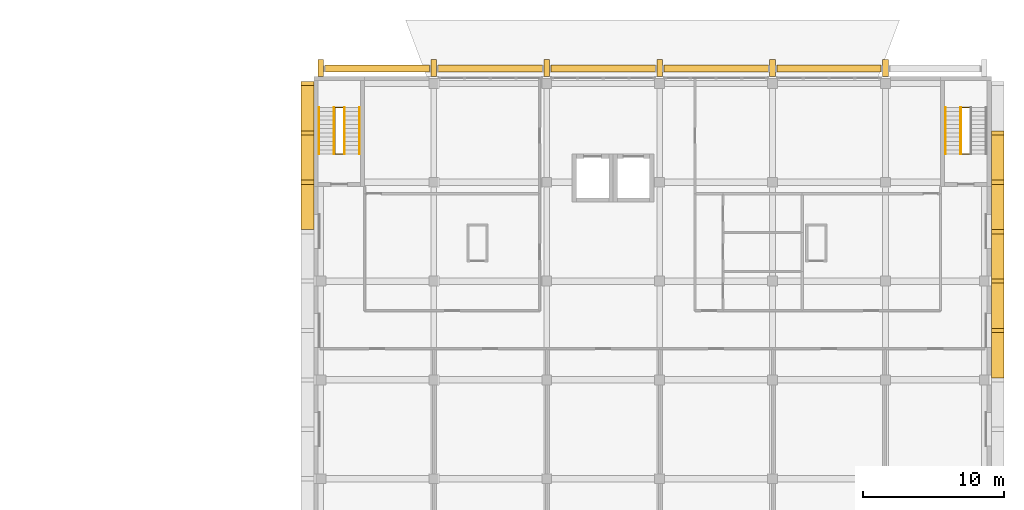
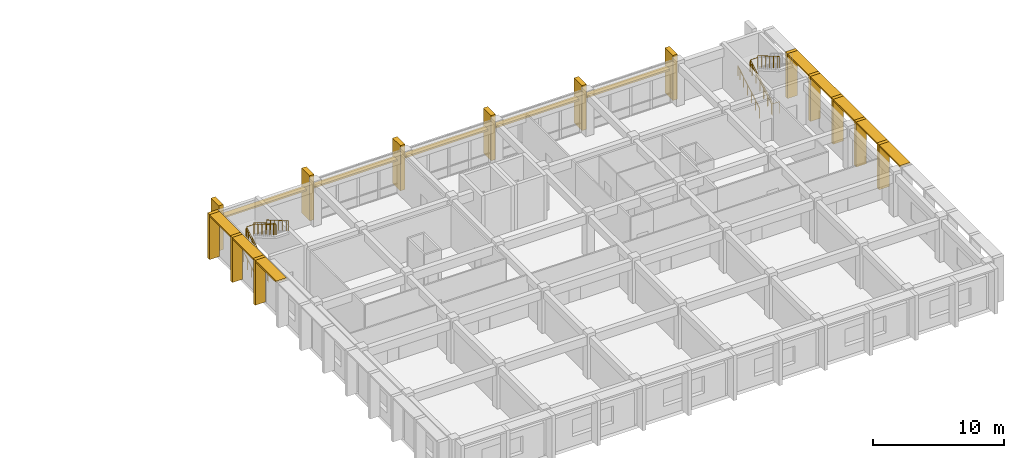
# One storey, part 44 of 45: 27 shading devices, 8 railings.
"""IFC4 building model written with IfcOpenShell, lengths in metres."""

from ifc_helpers import new_model, si_unit, direction, frame, origin, origin_2d, place, context, subcontext, project, spatial, rectangle, circle, extrude, material, layer, layer_set, type_object, element, save


model = new_model("IFC4")

# Units and contexts
model_context = context("Model", 3, precision=1e-05, world=origin(), true_north=direction((0.0, 1.0)))
body_context = subcontext(model_context, "Body", "Model", "MODEL_VIEW")
ifc_project = project(units=[si_unit("LENGTHUNIT", "METRE"), si_unit("AREAUNIT", "SQUARE_METRE"), si_unit("VOLUMEUNIT", "CUBIC_METRE"), si_unit("PLANEANGLEUNIT", "RADIAN"), si_unit("MASSUNIT", "GRAM", prefix="KILO")], contexts=[model_context])

# Site, building, storey
site_placement = place(None, origin())
site = spatial("IfcSite", under=ifc_project, at=site_placement, CompositionType="ELEMENT")
building_placement = place(site_placement, origin())
building = spatial("IfcBuilding", under=site, at=building_placement, Name="Elmora Arch Market Hall", CompositionType="ELEMENT")
storey_placement = place(building_placement, frame((0.0, 0.0, 6.0)))
storey = spatial("IfcBuildingStorey", under=building, at=storey_placement, Name="L01", CompositionType="ELEMENT", Elevation=6.0)

# Shading devices
ifc_material_1 = material(Name="Concrete C40/50", Category="concrete")
ifc_layer_1 = layer(ifc_material_1, 0.14990234375)
ifc_layer_set_1 = layer_set([ifc_layer_1], Name="Concrete C40/50")
shading_device_type_1 = type_object("IfcShadingDeviceType", Name="Concrete blade 150x900", PredefinedType="USERDEFINED", material=ifc_layer_set_1)
for number, where, z_axis, x_axis, name in (
    (1, (85.550048828125, 156.75, 4.050048828125), (0.0, 0.0, 1.0), (1.0, 0.0, 0.0), "School blade W8 L2"),
    (2, (85.550048828125, 160.25, 4.050048828125), (0.0, 0.0, 1.0), (1.0, 0.0, 0.0), "School blade W9 L2"),
    (3, (85.550048828125, 163.75, 4.050048828125), (0.0, 0.0, 1.0), (1.0, 0.0, 0.0), "School blade W10 L2"),
    (4, (134.449951171875, 146.25, 4.050048828125), (0.0, 0.0, 1.0), (1.0, 0.0, 0.0), "School blade E5 L2"),
    (5, (134.449951171875, 149.75, 4.050048828125), (0.0, 0.0, 1.0), (1.0, 0.0, 0.0), "School blade E6 L2"),
    (6, (134.449951171875, 153.25, 4.050048828125), (0.0, 0.0, 1.0), (1.0, 0.0, 0.0), "School blade E7 L2"),
    (7, (134.449951171875, 156.75, 4.050048828125), (0.0, 0.0, 1.0), (1.0, 0.0, 0.0), "School blade E8 L2"),
    (8, (134.449951171875, 160.25, 4.050048828125), (0.0, 0.0, 1.0), (1.0, 0.0, 0.0), "School blade E9 L2"),
):
    element("IfcShadingDevice", number, at=place(storey_placement, frame(where, z_axis=z_axis, x_axis=x_axis)), inside=storey, type_object=shading_device_type_1, Name=name, ObjectType="BLADE", PredefinedType="USERDEFINED", context=body_context, shape_type="SweptSolid", body=[
        extrude(rectangle(XDim=0.89990234375, YDim=3.199951171875, at=origin_2d()), origin(), (0.0, 0.0, 1.0), 0.14990234375),
    ])
ifc_material_2 = material(Name="Concrete C40/50", Category="concrete")
shading_device_type_2 = type_object("IfcShadingDeviceType", Name="Concrete fin 300x900", PredefinedType="USERDEFINED", material=ifc_material_2)
for number, where, z_axis, x_axis, name in (
    (9, (85.550048828125, 158.5, 0.0), (0.0, 0.0, 1.0), (1.0, 0.0, 0.0), "School fin W9 L01"),
    (10, (85.550048828125, 162.0, 0.0), (0.0, 0.0, 1.0), (1.0, 0.0, 0.0), "School fin W10 L01"),
    (11, (85.550048828125, 165.5, 0.0), (0.0, 0.0, 1.0), (1.0, 0.0, 0.0), "School fin W11 L01"),
    (12, (134.449951171875, 148.0, 0.0), (0.0, 0.0, 1.0), (1.0, 0.0, 0.0), "School fin E6 L01"),
    (13, (134.449951171875, 151.5, 0.0), (0.0, 0.0, 1.0), (1.0, 0.0, 0.0), "School fin E7 L01"),
    (14, (134.449951171875, 155.0, 0.0), (0.0, 0.0, 1.0), (1.0, 0.0, 0.0), "School fin E8 L01"),
    (15, (134.449951171875, 158.5, 0.0), (0.0, 0.0, 1.0), (1.0, 0.0, 0.0), "School fin E9 L01"),
    (16, (134.449951171875, 162.0, 0.0), (0.0, 0.0, 1.0), (1.0, 0.0, 0.0), "School fin E10 L01"),
):
    element("IfcShadingDevice", number, at=place(storey_placement, frame(where, z_axis=z_axis, x_axis=x_axis)), inside=storey, type_object=shading_device_type_2, Name=name, ObjectType="FIN", PredefinedType="USERDEFINED", context=body_context, shape_type="SweptSolid", body=[
        extrude(rectangle(XDim=0.89990234375, YDim=0.300048828125, at=origin_2d()), origin(), (0.0, 0.0, 1.0), 4.199951171875),
    ])
ifc_material_3 = material(Name="Concrete C40/50", Category="concrete")
ifc_layer_2 = layer(ifc_material_3, 0.14990234375)
ifc_layer_set_2 = layer_set([ifc_layer_2], Name="Concrete C40/50")
shading_device_type_3 = type_object("IfcShadingDeviceType", Name="School blade 150x500", PredefinedType="USERDEFINED", material=ifc_layer_set_2)
for number, where, z_axis, x_axis, name in (
    (17, (90.5, 166.550048828125, 2.650146484375), (0.0, 0.0, 1.0), (1.0, 0.0, 0.0), "School blade N1 L01"),
    (18, (98.5, 166.550048828125, 2.650146484375), (0.0, 0.0, 1.0), (1.0, 0.0, 0.0), "School blade N2 L01"),
    (19, (106.5, 166.550048828125, 2.650146484375), (0.0, 0.0, 1.0), (1.0, 0.0, 0.0), "School blade N3 L01"),
    (20, (114.5, 166.550048828125, 2.650146484375), (0.0, 0.0, 1.0), (1.0, 0.0, 0.0), "School blade N4 L01"),
    (21, (122.5, 166.550048828125, 2.650146484375), (0.0, 0.0, 1.0), (1.0, 0.0, 0.0), "School blade N5 L01"),
):
    element("IfcShadingDevice", number, at=place(storey_placement, frame(where, z_axis=z_axis, x_axis=x_axis)), inside=storey, type_object=shading_device_type_3, Name=name, ObjectType="BLADE", PredefinedType="USERDEFINED", context=body_context, shape_type="SweptSolid", body=[
        extrude(rectangle(XDim=7.39990234375, YDim=0.5, at=origin_2d()), origin(), (0.0, 0.0, 1.0), 0.14990234375),
    ])
ifc_material_4 = material(Name="Concrete C40/50", Category="concrete")
shading_device_type_4 = type_object("IfcShadingDeviceType", Name="School fin 400x1200", PredefinedType="USERDEFINED", material=ifc_material_4)
for number, where, z_axis, x_axis, name in (
    (22, (86.5, 166.60009765625, 0.0), (0.0, 0.0, 1.0), (1.0, 0.0, 0.0), "School fin N1 L01"),
    (23, (94.5, 166.60009765625, 0.0), (0.0, 0.0, 1.0), (1.0, 0.0, 0.0), "School fin N2 L01"),
    (24, (102.5, 166.60009765625, 0.0), (0.0, 0.0, 1.0), (1.0, 0.0, 0.0), "School fin N3 L01"),
    (25, (110.5, 166.60009765625, 0.0), (0.0, 0.0, 1.0), (1.0, 0.0, 0.0), "School fin N4 L01"),
    (26, (118.5, 166.60009765625, 0.0), (0.0, 0.0, 1.0), (1.0, 0.0, 0.0), "School fin N5 L01"),
    (27, (126.5, 166.60009765625, 0.0), (0.0, 0.0, 1.0), (1.0, 0.0, 0.0), "School fin N6 L01"),
):
    element("IfcShadingDevice", number, at=place(storey_placement, frame(where, z_axis=z_axis, x_axis=x_axis)), inside=storey, type_object=shading_device_type_4, Name=name, ObjectType="FIN", PredefinedType="USERDEFINED", context=body_context, shape_type="SweptSolid", body=[
        extrude(rectangle(XDim=0.39990234375, YDim=1.199951171875, at=origin_2d()), origin(), (0.0, 0.0, 1.0), 4.199951171875),
    ])

# Railings
ifc_material_5 = material(Name="Steel ASTM A500 Gr C", Category="steel")
railing_type_1 = type_object("IfcRailingType", Name="Stair guard 1100", PredefinedType="GUARDRAIL", material=ifc_material_5)
railing_1_placement = place(storey_placement, frame((88.1201171875, 160.5, 0.0)))
element("IfcRailing", 28, at=railing_1_placement, inside=storey, type_object=railing_type_1, Name="Stair ST-SCW guard L01", PredefinedType="GUARDRAIL", context=body_context, shape_type="SweptSolid", body=[
    extrude(circle(Radius=0.02392578125, at=origin_2d()), frame((0.0, 0.0, 1.076171875), z_axis=(-1.0, 0.0, 0.0), x_axis=(0.0, -1.0, 0.0)), (0.0, 0.0, 1.0), 0.64013671875),
    extrude(circle(Radius=0.02392578125, at=origin_2d()), frame((-0.64013671875, 0.0, 1.076171875), z_axis=(0.0, 0.0, 1.0), x_axis=(1.0, 0.0, 0.0)), (0.0, 0.0, 1.0), 0.175048828125),
    extrude(circle(Radius=0.02392578125, at=origin_2d()), frame((-0.64013671875, 0.0, 1.2509765625), z_axis=(0.0, 0.863906348401, 0.503652480577), x_axis=(-1.0, 0.0, 0.0)), (0.0, 0.0, 1.0), 0.694580078125),
    extrude(circle(Radius=0.02392578125, at=origin_2d()), frame((-0.64013671875, 0.60009765625, 1.60107421875), z_axis=(0.0, 0.863664136355, 0.504067713282), x_axis=(-1.0, 0.0, 0.0)), (0.0, 0.0, 1.0), 0.694580078125),
    extrude(circle(Radius=0.02392578125, at=origin_2d()), frame((-0.64013671875, 1.199951171875, 1.951171875), z_axis=(0.0, 0.863753409277, 0.503914722906), x_axis=(-1.0, 0.0, 0.0)), (0.0, 0.0, 1.0), 0.69482421875),
    extrude(circle(Radius=0.02392578125, at=origin_2d()), frame((-0.64013671875, 1.800048828125, 2.30126953125), z_axis=(0.0, 0.863817152568, 0.503805445515), x_axis=(-1.0, 0.0, 0.0)), (0.0, 0.0, 1.0), 0.6943359375),
    extrude(circle(Radius=0.02392578125, at=origin_2d()), frame((-0.64013671875, 2.39990234375, 2.65087890625), z_axis=(0.0, 0.863753409277, 0.503914722906), x_axis=(-1.0, 0.0, 0.0)), (0.0, 0.0, 1.0), 0.69482421875),
    extrude(circle(Radius=0.02392578125, at=origin_2d()), frame((-0.64013671875, 3.0, 3.0009765625), z_axis=(0.0, 0.863753409277, 0.503914722906), x_axis=(-1.0, 0.0, 0.0)), (0.0, 0.0, 1.0), 0.347412109375),
    extrude(circle(Radius=0.02392578125, at=origin_2d()), frame((-0.64013671875, 3.300048828125, 3.17626953125), z_axis=(1.0, 0.0, 0.0), x_axis=(0.0, 1.0, 0.0)), (0.0, 0.0, 1.0), 0.64013671875),
    extrude(circle(Radius=0.02392578125, at=origin_2d()), frame((0.0, 3.300048828125, 3.17626953125), z_axis=(0.0, 0.0, 1.0), x_axis=(1.0, 0.0, 0.0)), (0.0, 0.0, 1.0), 0.1748046875),
    extrude(circle(Radius=0.02392578125, at=origin_2d()), frame((0.0, 3.300048828125, 3.35107421875), z_axis=(0.0, -0.863753409277, 0.503914722906), x_axis=(1.0, 0.0, 0.0)), (0.0, 0.0, 1.0), 0.69482421875),
    extrude(circle(Radius=0.02392578125, at=origin_2d()), frame((0.0, 2.699951171875, 3.701171875), z_axis=(0.0, -0.863664136355, 0.504067713282), x_axis=(1.0, 0.0, 0.0)), (0.0, 0.0, 1.0), 0.694580078125),
    extrude(circle(Radius=0.02392578125, at=origin_2d()), frame((0.0, 2.10009765625, 4.05126953125), z_axis=(0.0, -0.863906348401, 0.503652480577), x_axis=(1.0, 0.0, 0.0)), (0.0, 0.0, 1.0), 0.694580078125),
    extrude(circle(Radius=0.02392578125, at=origin_2d()), frame((0.0, 1.5, 4.40087890625), z_axis=(0.0, -0.863753409277, 0.503914722906), x_axis=(1.0, 0.0, 0.0)), (0.0, 0.0, 1.0), 0.69482421875),
    extrude(circle(Radius=0.02392578125, at=origin_2d()), frame((0.0, 0.89990234375, 4.7509765625), z_axis=(0.0, -0.863817152568, 0.503805445515), x_axis=(1.0, 0.0, 0.0)), (0.0, 0.0, 1.0), 0.6943359375),
    extrude(circle(Radius=0.02392578125, at=origin_2d()), frame((0.0, 0.300048828125, 5.10107421875), z_axis=(0.0, -0.863753409277, 0.503914722906), x_axis=(1.0, 0.0, 0.0)), (0.0, 0.0, 1.0), 0.347412109375),
    extrude(circle(Radius=0.02099609375, at=origin_2d()), origin(), (0.0, 0.0, 1.0), 1.052001953125),
    extrude(circle(Radius=0.02099609375, at=origin_2d()), frame((-0.64013671875, 0.0, 0.0)), (0.0, 0.0, 1.0), 1.052001953125),
    extrude(circle(Radius=0.02099609375, at=origin_2d()), frame((-0.64013671875, 0.0, 0.175048828125)), (0.0, 0.0, 1.0), 1.052001953125),
    extrude(circle(Radius=0.02099609375, at=origin_2d()), frame((-0.64013671875, 0.60009765625, 0.52490234375)), (0.0, 0.0, 1.0), 1.052001953125),
    extrude(circle(Radius=0.02099609375, at=origin_2d()), frame((-0.64013671875, 1.199951171875, 0.875)), (0.0, 0.0, 1.0), 1.052001953125),
    extrude(circle(Radius=0.02099609375, at=origin_2d()), frame((-0.64013671875, 1.800048828125, 1.22509765625)), (0.0, 0.0, 1.0), 1.052001953125),
    extrude(circle(Radius=0.02099609375, at=origin_2d()), frame((-0.64013671875, 2.39990234375, 1.574951171875)), (0.0, 0.0, 1.0), 1.052001953125),
    extrude(circle(Radius=0.02099609375, at=origin_2d()), frame((-0.64013671875, 3.0, 1.925048828125)), (0.0, 0.0, 1.0), 1.052001953125),
    extrude(circle(Radius=0.02099609375, at=origin_2d()), frame((-0.64013671875, 3.300048828125, 2.10009765625)), (0.0, 0.0, 1.0), 1.052001953125),
    extrude(circle(Radius=0.02099609375, at=origin_2d()), frame((0.0, 3.300048828125, 2.10009765625)), (0.0, 0.0, 1.0), 1.052001953125),
    extrude(circle(Radius=0.02099609375, at=origin_2d()), frame((0.0, 3.300048828125, 2.27490234375)), (0.0, 0.0, 1.0), 1.052001953125),
    extrude(circle(Radius=0.02099609375, at=origin_2d()), frame((0.0, 2.699951171875, 2.625)), (0.0, 0.0, 1.0), 1.052001953125),
    extrude(circle(Radius=0.02099609375, at=origin_2d()), frame((0.0, 2.10009765625, 2.97509765625)), (0.0, 0.0, 1.0), 1.052001953125),
    extrude(circle(Radius=0.02099609375, at=origin_2d()), frame((0.0, 1.5, 3.324951171875)), (0.0, 0.0, 1.0), 1.052001953125),
    extrude(circle(Radius=0.02099609375, at=origin_2d()), frame((0.0, 0.89990234375, 3.675048828125)), (0.0, 0.0, 1.0), 1.052001953125),
    extrude(circle(Radius=0.02099609375, at=origin_2d()), frame((0.0, 0.300048828125, 4.02490234375)), (0.0, 0.0, 1.0), 1.052001953125),
    extrude(circle(Radius=0.02099609375, at=origin_2d()), frame((0.0, 0.0, 4.199951171875)), (0.0, 0.0, 1.0), 1.052001953125),
])
railing_2_placement = place(storey_placement, frame((132.52001953125, 160.5, 0.0)))
element("IfcRailing", 29, at=railing_2_placement, inside=storey, type_object=railing_type_1, Name="Stair ST-SCE guard L01", PredefinedType="GUARDRAIL", context=body_context, shape_type="SweptSolid", body=[
    extrude(circle(Radius=0.02392578125, at=origin_2d()), frame((0.0, 0.0, 1.076171875), z_axis=(-1.0, 0.0, 0.0), x_axis=(0.0, -1.0, 0.0)), (0.0, 0.0, 1.0), 0.64013671875),
    extrude(circle(Radius=0.02392578125, at=origin_2d()), frame((-0.64013671875, 0.0, 1.076171875), z_axis=(0.0, 0.0, 1.0), x_axis=(1.0, 0.0, 0.0)), (0.0, 0.0, 1.0), 0.175048828125),
    extrude(circle(Radius=0.02392578125, at=origin_2d()), frame((-0.64013671875, 0.0, 1.2509765625), z_axis=(0.0, 0.863906348401, 0.503652480577), x_axis=(-1.0, 0.0, 0.0)), (0.0, 0.0, 1.0), 0.694580078125),
    extrude(circle(Radius=0.02392578125, at=origin_2d()), frame((-0.64013671875, 0.60009765625, 1.60107421875), z_axis=(0.0, 0.863664136355, 0.504067713282), x_axis=(-1.0, 0.0, 0.0)), (0.0, 0.0, 1.0), 0.694580078125),
    extrude(circle(Radius=0.02392578125, at=origin_2d()), frame((-0.64013671875, 1.199951171875, 1.951171875), z_axis=(0.0, 0.863753409277, 0.503914722906), x_axis=(-1.0, 0.0, 0.0)), (0.0, 0.0, 1.0), 0.69482421875),
    extrude(circle(Radius=0.02392578125, at=origin_2d()), frame((-0.64013671875, 1.800048828125, 2.30126953125), z_axis=(0.0, 0.863817152568, 0.503805445515), x_axis=(-1.0, 0.0, 0.0)), (0.0, 0.0, 1.0), 0.6943359375),
    extrude(circle(Radius=0.02392578125, at=origin_2d()), frame((-0.64013671875, 2.39990234375, 2.65087890625), z_axis=(0.0, 0.863753409277, 0.503914722906), x_axis=(-1.0, 0.0, 0.0)), (0.0, 0.0, 1.0), 0.69482421875),
    extrude(circle(Radius=0.02392578125, at=origin_2d()), frame((-0.64013671875, 3.0, 3.0009765625), z_axis=(0.0, 0.863753409277, 0.503914722906), x_axis=(-1.0, 0.0, 0.0)), (0.0, 0.0, 1.0), 0.347412109375),
    extrude(circle(Radius=0.02392578125, at=origin_2d()), frame((-0.64013671875, 3.300048828125, 3.17626953125), z_axis=(1.0, 0.0, 0.0), x_axis=(0.0, 1.0, 0.0)), (0.0, 0.0, 1.0), 0.64013671875),
    extrude(circle(Radius=0.02392578125, at=origin_2d()), frame((0.0, 3.300048828125, 3.17626953125), z_axis=(0.0, 0.0, 1.0), x_axis=(1.0, 0.0, 0.0)), (0.0, 0.0, 1.0), 0.1748046875),
    extrude(circle(Radius=0.02392578125, at=origin_2d()), frame((0.0, 3.300048828125, 3.35107421875), z_axis=(0.0, -0.863753409277, 0.503914722906), x_axis=(1.0, 0.0, 0.0)), (0.0, 0.0, 1.0), 0.69482421875),
    extrude(circle(Radius=0.02392578125, at=origin_2d()), frame((0.0, 2.699951171875, 3.701171875), z_axis=(0.0, -0.863664136355, 0.504067713282), x_axis=(1.0, 0.0, 0.0)), (0.0, 0.0, 1.0), 0.694580078125),
    extrude(circle(Radius=0.02392578125, at=origin_2d()), frame((0.0, 2.10009765625, 4.05126953125), z_axis=(0.0, -0.863906348401, 0.503652480577), x_axis=(1.0, 0.0, 0.0)), (0.0, 0.0, 1.0), 0.694580078125),
    extrude(circle(Radius=0.02392578125, at=origin_2d()), frame((0.0, 1.5, 4.40087890625), z_axis=(0.0, -0.863753409277, 0.503914722906), x_axis=(1.0, 0.0, 0.0)), (0.0, 0.0, 1.0), 0.69482421875),
    extrude(circle(Radius=0.02392578125, at=origin_2d()), frame((0.0, 0.89990234375, 4.7509765625), z_axis=(0.0, -0.863817152568, 0.503805445515), x_axis=(1.0, 0.0, 0.0)), (0.0, 0.0, 1.0), 0.6943359375),
    extrude(circle(Radius=0.02392578125, at=origin_2d()), frame((0.0, 0.300048828125, 5.10107421875), z_axis=(0.0, -0.863753409277, 0.503914722906), x_axis=(1.0, 0.0, 0.0)), (0.0, 0.0, 1.0), 0.347412109375),
    extrude(circle(Radius=0.02099609375, at=origin_2d()), origin(), (0.0, 0.0, 1.0), 1.052001953125),
    extrude(circle(Radius=0.02099609375, at=origin_2d()), frame((-0.64013671875, 0.0, 0.0)), (0.0, 0.0, 1.0), 1.052001953125),
    extrude(circle(Radius=0.02099609375, at=origin_2d()), frame((-0.64013671875, 0.0, 0.175048828125)), (0.0, 0.0, 1.0), 1.052001953125),
    extrude(circle(Radius=0.02099609375, at=origin_2d()), frame((-0.64013671875, 0.60009765625, 0.52490234375)), (0.0, 0.0, 1.0), 1.052001953125),
    extrude(circle(Radius=0.02099609375, at=origin_2d()), frame((-0.64013671875, 1.199951171875, 0.875)), (0.0, 0.0, 1.0), 1.052001953125),
    extrude(circle(Radius=0.02099609375, at=origin_2d()), frame((-0.64013671875, 1.800048828125, 1.22509765625)), (0.0, 0.0, 1.0), 1.052001953125),
    extrude(circle(Radius=0.02099609375, at=origin_2d()), frame((-0.64013671875, 2.39990234375, 1.574951171875)), (0.0, 0.0, 1.0), 1.052001953125),
    extrude(circle(Radius=0.02099609375, at=origin_2d()), frame((-0.64013671875, 3.0, 1.925048828125)), (0.0, 0.0, 1.0), 1.052001953125),
    extrude(circle(Radius=0.02099609375, at=origin_2d()), frame((-0.64013671875, 3.300048828125, 2.10009765625)), (0.0, 0.0, 1.0), 1.052001953125),
    extrude(circle(Radius=0.02099609375, at=origin_2d()), frame((0.0, 3.300048828125, 2.10009765625)), (0.0, 0.0, 1.0), 1.052001953125),
    extrude(circle(Radius=0.02099609375, at=origin_2d()), frame((0.0, 3.300048828125, 2.27490234375)), (0.0, 0.0, 1.0), 1.052001953125),
    extrude(circle(Radius=0.02099609375, at=origin_2d()), frame((0.0, 2.699951171875, 2.625)), (0.0, 0.0, 1.0), 1.052001953125),
    extrude(circle(Radius=0.02099609375, at=origin_2d()), frame((0.0, 2.10009765625, 2.97509765625)), (0.0, 0.0, 1.0), 1.052001953125),
    extrude(circle(Radius=0.02099609375, at=origin_2d()), frame((0.0, 1.5, 3.324951171875)), (0.0, 0.0, 1.0), 1.052001953125),
    extrude(circle(Radius=0.02099609375, at=origin_2d()), frame((0.0, 0.89990234375, 3.675048828125)), (0.0, 0.0, 1.0), 1.052001953125),
    extrude(circle(Radius=0.02099609375, at=origin_2d()), frame((0.0, 0.300048828125, 4.02490234375)), (0.0, 0.0, 1.0), 1.052001953125),
    extrude(circle(Radius=0.02099609375, at=origin_2d()), frame((0.0, 0.0, 4.199951171875)), (0.0, 0.0, 1.0), 1.052001953125),
])
ifc_material_6 = material(Name="Stainless steel ASTM A554 Grade 304", Category="steel")
railing_type_2 = type_object("IfcRailingType", Name="Stair handrail 950", PredefinedType="HANDRAIL", material=ifc_material_6)
railing_3_placement = place(storey_placement, frame((86.360107421875, 160.5, 0.175048828125)))
element("IfcRailing", 30, at=railing_3_placement, inside=storey, type_object=railing_type_2, Name="Stair ST-SCW L01 flight 1 handrail", PredefinedType="HANDRAIL", context=body_context, shape_type="SweptSolid", body=[
    extrude(circle(Radius=0.02392578125, at=origin_2d()), frame((0.0, 0.0, 0.92578125), z_axis=(0.0, 0.863906348401, 0.503652480577), x_axis=(-1.0, 0.0, 0.0)), (0.0, 0.0, 1.0), 0.694580078125),
    extrude(circle(Radius=0.02392578125, at=origin_2d()), frame((0.0, 0.60009765625, 1.27587890625), z_axis=(0.0, 0.863664136355, 0.504067713282), x_axis=(-1.0, 0.0, 0.0)), (0.0, 0.0, 1.0), 0.694580078125),
    extrude(circle(Radius=0.02392578125, at=origin_2d()), frame((0.0, 1.199951171875, 1.6259765625), z_axis=(0.0, 0.863753409277, 0.503914722906), x_axis=(-1.0, 0.0, 0.0)), (0.0, 0.0, 1.0), 0.69482421875),
    extrude(circle(Radius=0.02392578125, at=origin_2d()), frame((0.0, 1.800048828125, 1.97607421875), z_axis=(0.0, 0.863817152568, 0.503805445515), x_axis=(-1.0, 0.0, 0.0)), (0.0, 0.0, 1.0), 0.6943359375),
    extrude(circle(Radius=0.02392578125, at=origin_2d()), frame((0.0, 2.39990234375, 2.32568359375), z_axis=(0.0, 0.863753409277, 0.503914722906), x_axis=(-1.0, 0.0, 0.0)), (0.0, 0.0, 1.0), 0.69482421875),
    extrude(circle(Radius=0.02392578125, at=origin_2d()), frame((0.0, 3.0, 2.67578125), z_axis=(0.0, 0.863753409277, 0.503914722906), x_axis=(-1.0, 0.0, 0.0)), (0.0, 0.0, 1.0), 0.347412109375),
    extrude(circle(Radius=0.02099609375, at=origin_2d()), origin(), (0.0, 0.0, 1.0), 0.90185546875),
    extrude(circle(Radius=0.02099609375, at=origin_2d()), frame((0.0, 0.60009765625, 0.349853515625)), (0.0, 0.0, 1.0), 0.90185546875),
    extrude(circle(Radius=0.02099609375, at=origin_2d()), frame((0.0, 1.199951171875, 0.699951171875)), (0.0, 0.0, 1.0), 0.90185546875),
    extrude(circle(Radius=0.02099609375, at=origin_2d()), frame((0.0, 1.800048828125, 1.050048828125)), (0.0, 0.0, 1.0), 0.90185546875),
    extrude(circle(Radius=0.02099609375, at=origin_2d()), frame((0.0, 2.39990234375, 1.39990234375)), (0.0, 0.0, 1.0), 0.90185546875),
    extrude(circle(Radius=0.02099609375, at=origin_2d()), frame((0.0, 3.0, 1.75)), (0.0, 0.0, 1.0), 0.90185546875),
    extrude(circle(Radius=0.02099609375, at=origin_2d()), frame((0.0, 3.300048828125, 1.925048828125)), (0.0, 0.0, 1.0), 0.90185546875),
])
railing_4_placement = place(storey_placement, frame((87.429931640625, 160.5, 0.175048828125)))
element("IfcRailing", 31, at=railing_4_placement, inside=storey, type_object=railing_type_2, Name="Stair ST-SCW L01 flight 1 handrail", PredefinedType="HANDRAIL", context=body_context, shape_type="SweptSolid", body=[
    extrude(circle(Radius=0.02392578125, at=origin_2d()), frame((0.0, 0.0, 0.92578125), z_axis=(0.0, 0.863906348401, 0.503652480577), x_axis=(-1.0, 0.0, 0.0)), (0.0, 0.0, 1.0), 0.694580078125),
    extrude(circle(Radius=0.02392578125, at=origin_2d()), frame((0.0, 0.60009765625, 1.27587890625), z_axis=(0.0, 0.863664136355, 0.504067713282), x_axis=(-1.0, 0.0, 0.0)), (0.0, 0.0, 1.0), 0.694580078125),
    extrude(circle(Radius=0.02392578125, at=origin_2d()), frame((0.0, 1.199951171875, 1.6259765625), z_axis=(0.0, 0.863753409277, 0.503914722906), x_axis=(-1.0, 0.0, 0.0)), (0.0, 0.0, 1.0), 0.69482421875),
    extrude(circle(Radius=0.02392578125, at=origin_2d()), frame((0.0, 1.800048828125, 1.97607421875), z_axis=(0.0, 0.863817152568, 0.503805445515), x_axis=(-1.0, 0.0, 0.0)), (0.0, 0.0, 1.0), 0.6943359375),
    extrude(circle(Radius=0.02392578125, at=origin_2d()), frame((0.0, 2.39990234375, 2.32568359375), z_axis=(0.0, 0.863753409277, 0.503914722906), x_axis=(-1.0, 0.0, 0.0)), (0.0, 0.0, 1.0), 0.69482421875),
    extrude(circle(Radius=0.02392578125, at=origin_2d()), frame((0.0, 3.0, 2.67578125), z_axis=(0.0, 0.863753409277, 0.503914722906), x_axis=(-1.0, 0.0, 0.0)), (0.0, 0.0, 1.0), 0.347412109375),
    extrude(circle(Radius=0.02099609375, at=origin_2d()), origin(), (0.0, 0.0, 1.0), 0.90185546875),
    extrude(circle(Radius=0.02099609375, at=origin_2d()), frame((0.0, 0.60009765625, 0.349853515625)), (0.0, 0.0, 1.0), 0.90185546875),
    extrude(circle(Radius=0.02099609375, at=origin_2d()), frame((0.0, 1.199951171875, 0.699951171875)), (0.0, 0.0, 1.0), 0.90185546875),
    extrude(circle(Radius=0.02099609375, at=origin_2d()), frame((0.0, 1.800048828125, 1.050048828125)), (0.0, 0.0, 1.0), 0.90185546875),
    extrude(circle(Radius=0.02099609375, at=origin_2d()), frame((0.0, 2.39990234375, 1.39990234375)), (0.0, 0.0, 1.0), 0.90185546875),
    extrude(circle(Radius=0.02099609375, at=origin_2d()), frame((0.0, 3.0, 1.75)), (0.0, 0.0, 1.0), 0.90185546875),
    extrude(circle(Radius=0.02099609375, at=origin_2d()), frame((0.0, 3.300048828125, 1.925048828125)), (0.0, 0.0, 1.0), 0.90185546875),
])
railing_5_placement = place(storey_placement, frame((89.239990234375, 163.800048828125, 2.27490234375)))
element("IfcRailing", 32, at=railing_5_placement, inside=storey, type_object=railing_type_2, Name="Stair ST-SCW L01 flight 2 handrail", PredefinedType="HANDRAIL", context=body_context, shape_type="SweptSolid", body=[
    extrude(circle(Radius=0.02392578125, at=origin_2d()), frame((0.0, 0.0, 0.92578125), z_axis=(0.0, -0.863753409277, 0.503914722906), x_axis=(1.0, 0.0, 0.0)), (0.0, 0.0, 1.0), 0.69482421875),
    extrude(circle(Radius=0.02392578125, at=origin_2d()), frame((0.0, -0.60009765625, 1.27587890625), z_axis=(0.0, -0.863664136355, 0.504067713282), x_axis=(1.0, 0.0, 0.0)), (0.0, 0.0, 1.0), 0.694580078125),
    extrude(circle(Radius=0.02392578125, at=origin_2d()), frame((0.0, -1.199951171875, 1.6259765625), z_axis=(0.0, -0.863906348401, 0.503652480577), x_axis=(1.0, 0.0, 0.0)), (0.0, 0.0, 1.0), 0.694580078125),
    extrude(circle(Radius=0.02392578125, at=origin_2d()), frame((0.0, -1.800048828125, 1.97607421875), z_axis=(0.0, -0.863753409277, 0.503914722906), x_axis=(1.0, 0.0, 0.0)), (0.0, 0.0, 1.0), 0.69482421875),
    extrude(circle(Radius=0.02392578125, at=origin_2d()), frame((0.0, -2.400146484375, 2.326171875), z_axis=(0.0, -0.863817152568, 0.503805445515), x_axis=(1.0, 0.0, 0.0)), (0.0, 0.0, 1.0), 0.6943359375),
    extrude(circle(Radius=0.02392578125, at=origin_2d()), frame((0.0, -3.0, 2.67578125), z_axis=(0.0, -0.863753409277, 0.503914722906), x_axis=(1.0, 0.0, 0.0)), (0.0, 0.0, 1.0), 0.347412109375),
    extrude(circle(Radius=0.02099609375, at=origin_2d()), origin(), (0.0, 0.0, 1.0), 0.90185546875),
    extrude(circle(Radius=0.02099609375, at=origin_2d()), frame((0.0, -0.60009765625, 0.35009765625)), (0.0, 0.0, 1.0), 0.90185546875),
    extrude(circle(Radius=0.02099609375, at=origin_2d()), frame((0.0, -1.199951171875, 0.7001953125)), (0.0, 0.0, 1.0), 0.90185546875),
    extrude(circle(Radius=0.02099609375, at=origin_2d()), frame((0.0, -1.800048828125, 1.050048828125)), (0.0, 0.0, 1.0), 0.90185546875),
    extrude(circle(Radius=0.02099609375, at=origin_2d()), frame((0.0, -2.400146484375, 1.400146484375)), (0.0, 0.0, 1.0), 0.90185546875),
    extrude(circle(Radius=0.02099609375, at=origin_2d()), frame((0.0, -3.0, 1.75)), (0.0, 0.0, 1.0), 0.90185546875),
    extrude(circle(Radius=0.02099609375, at=origin_2d()), frame((0.0, -3.300048828125, 1.925048828125)), (0.0, 0.0, 1.0), 0.90185546875),
])
railing_6_placement = place(storey_placement, frame((88.169921875, 163.800048828125, 2.27490234375)))
element("IfcRailing", 33, at=railing_6_placement, inside=storey, type_object=railing_type_2, Name="Stair ST-SCW L01 flight 2 handrail", PredefinedType="HANDRAIL", context=body_context, shape_type="SweptSolid", body=[
    extrude(circle(Radius=0.02392578125, at=origin_2d()), frame((0.0, 0.0, 0.92578125), z_axis=(0.0, -0.863753409277, 0.503914722906), x_axis=(1.0, 0.0, 0.0)), (0.0, 0.0, 1.0), 0.69482421875),
    extrude(circle(Radius=0.02392578125, at=origin_2d()), frame((0.0, -0.60009765625, 1.27587890625), z_axis=(0.0, -0.863664136355, 0.504067713282), x_axis=(1.0, 0.0, 0.0)), (0.0, 0.0, 1.0), 0.694580078125),
    extrude(circle(Radius=0.02392578125, at=origin_2d()), frame((0.0, -1.199951171875, 1.6259765625), z_axis=(0.0, -0.863906348401, 0.503652480577), x_axis=(1.0, 0.0, 0.0)), (0.0, 0.0, 1.0), 0.694580078125),
    extrude(circle(Radius=0.02392578125, at=origin_2d()), frame((0.0, -1.800048828125, 1.97607421875), z_axis=(0.0, -0.863753409277, 0.503914722906), x_axis=(1.0, 0.0, 0.0)), (0.0, 0.0, 1.0), 0.69482421875),
    extrude(circle(Radius=0.02392578125, at=origin_2d()), frame((0.0, -2.400146484375, 2.326171875), z_axis=(0.0, -0.863817152568, 0.503805445515), x_axis=(1.0, 0.0, 0.0)), (0.0, 0.0, 1.0), 0.6943359375),
    extrude(circle(Radius=0.02392578125, at=origin_2d()), frame((0.0, -3.0, 2.67578125), z_axis=(0.0, -0.863753409277, 0.503914722906), x_axis=(1.0, 0.0, 0.0)), (0.0, 0.0, 1.0), 0.347412109375),
    extrude(circle(Radius=0.02099609375, at=origin_2d()), origin(), (0.0, 0.0, 1.0), 0.90185546875),
    extrude(circle(Radius=0.02099609375, at=origin_2d()), frame((0.0, -0.60009765625, 0.35009765625)), (0.0, 0.0, 1.0), 0.90185546875),
    extrude(circle(Radius=0.02099609375, at=origin_2d()), frame((0.0, -1.199951171875, 0.7001953125)), (0.0, 0.0, 1.0), 0.90185546875),
    extrude(circle(Radius=0.02099609375, at=origin_2d()), frame((0.0, -1.800048828125, 1.050048828125)), (0.0, 0.0, 1.0), 0.90185546875),
    extrude(circle(Radius=0.02099609375, at=origin_2d()), frame((0.0, -2.400146484375, 1.400146484375)), (0.0, 0.0, 1.0), 0.90185546875),
    extrude(circle(Radius=0.02099609375, at=origin_2d()), frame((0.0, -3.0, 1.75)), (0.0, 0.0, 1.0), 0.90185546875),
    extrude(circle(Radius=0.02099609375, at=origin_2d()), frame((0.0, -3.300048828125, 1.925048828125)), (0.0, 0.0, 1.0), 0.90185546875),
])
railing_7_placement = place(storey_placement, frame((130.760009765625, 160.5, 0.175048828125)))
element("IfcRailing", 34, at=railing_7_placement, inside=storey, type_object=railing_type_2, Name="Stair ST-SCE L01 flight 1 handrail", PredefinedType="HANDRAIL", context=body_context, shape_type="SweptSolid", body=[
    extrude(circle(Radius=0.02392578125, at=origin_2d()), frame((0.0, 0.0, 0.92578125), z_axis=(0.0, 0.863906348401, 0.503652480577), x_axis=(-1.0, 0.0, 0.0)), (0.0, 0.0, 1.0), 0.694580078125),
    extrude(circle(Radius=0.02392578125, at=origin_2d()), frame((0.0, 0.60009765625, 1.27587890625), z_axis=(0.0, 0.863664136355, 0.504067713282), x_axis=(-1.0, 0.0, 0.0)), (0.0, 0.0, 1.0), 0.694580078125),
    extrude(circle(Radius=0.02392578125, at=origin_2d()), frame((0.0, 1.199951171875, 1.6259765625), z_axis=(0.0, 0.863753409277, 0.503914722906), x_axis=(-1.0, 0.0, 0.0)), (0.0, 0.0, 1.0), 0.69482421875),
    extrude(circle(Radius=0.02392578125, at=origin_2d()), frame((0.0, 1.800048828125, 1.97607421875), z_axis=(0.0, 0.863817152568, 0.503805445515), x_axis=(-1.0, 0.0, 0.0)), (0.0, 0.0, 1.0), 0.6943359375),
    extrude(circle(Radius=0.02392578125, at=origin_2d()), frame((0.0, 2.39990234375, 2.32568359375), z_axis=(0.0, 0.863753409277, 0.503914722906), x_axis=(-1.0, 0.0, 0.0)), (0.0, 0.0, 1.0), 0.69482421875),
    extrude(circle(Radius=0.02392578125, at=origin_2d()), frame((0.0, 3.0, 2.67578125), z_axis=(0.0, 0.863753409277, 0.503914722906), x_axis=(-1.0, 0.0, 0.0)), (0.0, 0.0, 1.0), 0.347412109375),
    extrude(circle(Radius=0.02099609375, at=origin_2d()), origin(), (0.0, 0.0, 1.0), 0.90185546875),
    extrude(circle(Radius=0.02099609375, at=origin_2d()), frame((0.0, 0.60009765625, 0.349853515625)), (0.0, 0.0, 1.0), 0.90185546875),
    extrude(circle(Radius=0.02099609375, at=origin_2d()), frame((0.0, 1.199951171875, 0.699951171875)), (0.0, 0.0, 1.0), 0.90185546875),
    extrude(circle(Radius=0.02099609375, at=origin_2d()), frame((0.0, 1.800048828125, 1.050048828125)), (0.0, 0.0, 1.0), 0.90185546875),
    extrude(circle(Radius=0.02099609375, at=origin_2d()), frame((0.0, 2.39990234375, 1.39990234375)), (0.0, 0.0, 1.0), 0.90185546875),
    extrude(circle(Radius=0.02099609375, at=origin_2d()), frame((0.0, 3.0, 1.75)), (0.0, 0.0, 1.0), 0.90185546875),
    extrude(circle(Radius=0.02099609375, at=origin_2d()), frame((0.0, 3.300048828125, 1.925048828125)), (0.0, 0.0, 1.0), 0.90185546875),
])
railing_8_placement = place(storey_placement, frame((131.830078125, 160.5, 0.175048828125)))
element("IfcRailing", 35, at=railing_8_placement, inside=storey, type_object=railing_type_2, Name="Stair ST-SCE L01 flight 1 handrail", PredefinedType="HANDRAIL", context=body_context, shape_type="SweptSolid", body=[
    extrude(circle(Radius=0.02392578125, at=origin_2d()), frame((0.0, 0.0, 0.92578125), z_axis=(0.0, 0.863906348401, 0.503652480577), x_axis=(-1.0, 0.0, 0.0)), (0.0, 0.0, 1.0), 0.694580078125),
    extrude(circle(Radius=0.02392578125, at=origin_2d()), frame((0.0, 0.60009765625, 1.27587890625), z_axis=(0.0, 0.863664136355, 0.504067713282), x_axis=(-1.0, 0.0, 0.0)), (0.0, 0.0, 1.0), 0.694580078125),
    extrude(circle(Radius=0.02392578125, at=origin_2d()), frame((0.0, 1.199951171875, 1.6259765625), z_axis=(0.0, 0.863753409277, 0.503914722906), x_axis=(-1.0, 0.0, 0.0)), (0.0, 0.0, 1.0), 0.69482421875),
    extrude(circle(Radius=0.02392578125, at=origin_2d()), frame((0.0, 1.800048828125, 1.97607421875), z_axis=(0.0, 0.863817152568, 0.503805445515), x_axis=(-1.0, 0.0, 0.0)), (0.0, 0.0, 1.0), 0.6943359375),
    extrude(circle(Radius=0.02392578125, at=origin_2d()), frame((0.0, 2.39990234375, 2.32568359375), z_axis=(0.0, 0.863753409277, 0.503914722906), x_axis=(-1.0, 0.0, 0.0)), (0.0, 0.0, 1.0), 0.69482421875),
    extrude(circle(Radius=0.02392578125, at=origin_2d()), frame((0.0, 3.0, 2.67578125), z_axis=(0.0, 0.863753409277, 0.503914722906), x_axis=(-1.0, 0.0, 0.0)), (0.0, 0.0, 1.0), 0.347412109375),
    extrude(circle(Radius=0.02099609375, at=origin_2d()), origin(), (0.0, 0.0, 1.0), 0.90185546875),
    extrude(circle(Radius=0.02099609375, at=origin_2d()), frame((0.0, 0.60009765625, 0.349853515625)), (0.0, 0.0, 1.0), 0.90185546875),
    extrude(circle(Radius=0.02099609375, at=origin_2d()), frame((0.0, 1.199951171875, 0.699951171875)), (0.0, 0.0, 1.0), 0.90185546875),
    extrude(circle(Radius=0.02099609375, at=origin_2d()), frame((0.0, 1.800048828125, 1.050048828125)), (0.0, 0.0, 1.0), 0.90185546875),
    extrude(circle(Radius=0.02099609375, at=origin_2d()), frame((0.0, 2.39990234375, 1.39990234375)), (0.0, 0.0, 1.0), 0.90185546875),
    extrude(circle(Radius=0.02099609375, at=origin_2d()), frame((0.0, 3.0, 1.75)), (0.0, 0.0, 1.0), 0.90185546875),
    extrude(circle(Radius=0.02099609375, at=origin_2d()), frame((0.0, 3.300048828125, 1.925048828125)), (0.0, 0.0, 1.0), 0.90185546875),
])

save(model, "model.ifc")
